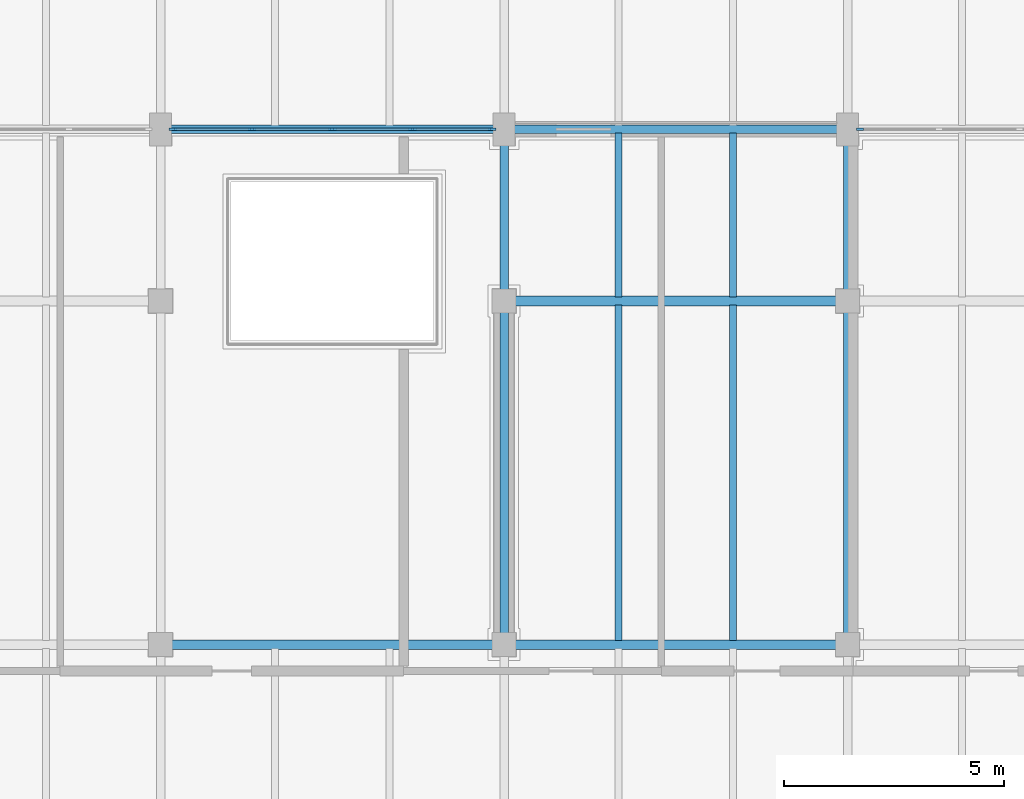
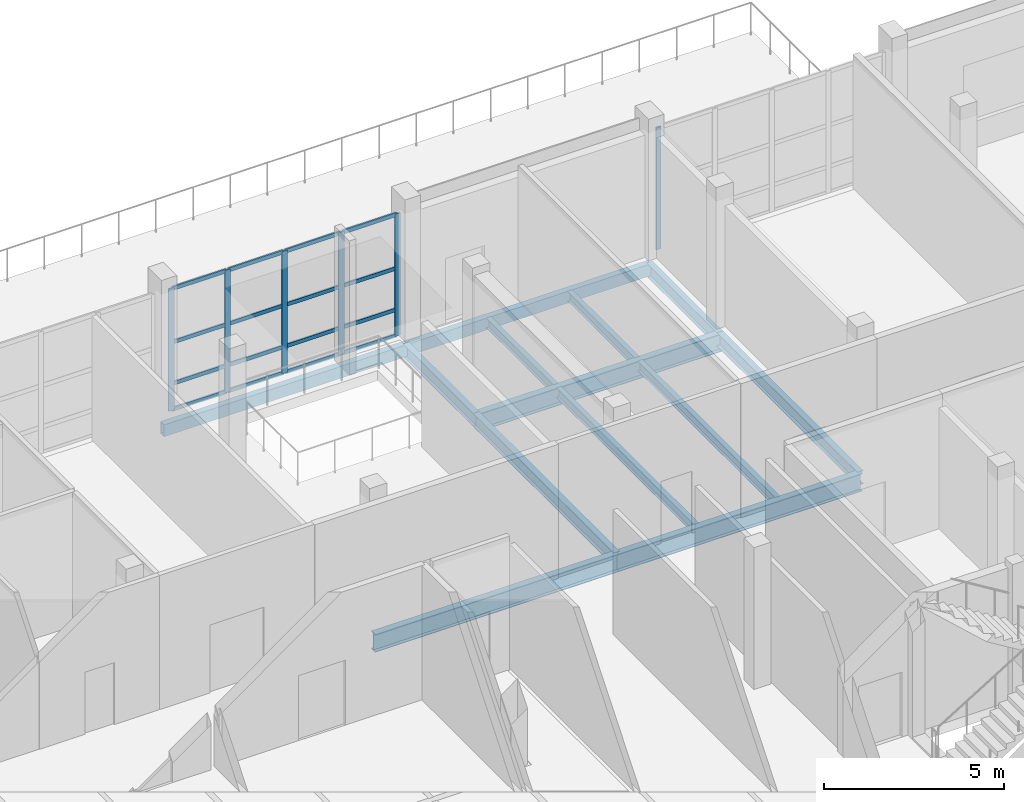
# One storey, part 33 of 138: 22 members, 13 beams, 2 elements without a shape of their own.
"""IFC4 building model written with IfcOpenShell, lengths in metres."""

from ifc_helpers import new_model, si_unit, direction, frame, origin, origin_2d, place, context, subcontext, project, spatial, rectangle, hollow_rectangle, i_section, extrude, material, layer, layer_set, material_profile, profile_set, type_object, element, aggregate, save


model = new_model("IFC4")

# Units and contexts
model_context = context("Model", 3, precision=1e-05, world=origin(), true_north=direction((0.0, 1.0)))
body_context = subcontext(model_context, "Body", "Model", "MODEL_VIEW")
ifc_project = project(units=[si_unit("LENGTHUNIT", "METRE"), si_unit("AREAUNIT", "SQUARE_METRE"), si_unit("VOLUMEUNIT", "CUBIC_METRE"), si_unit("PLANEANGLEUNIT", "RADIAN"), si_unit("MASSUNIT", "GRAM", prefix="KILO")], contexts=[model_context])

# Site, building, storey
site_placement = place(None, origin())
site = spatial("IfcSite", under=ifc_project, at=site_placement, CompositionType="ELEMENT")
building_placement = place(site_placement, origin())
building = spatial("IfcBuilding", under=site, at=building_placement, Name="Celorna Specialist Clinic", CompositionType="ELEMENT")
storey_placement = place(building_placement, frame((0.0, 0.0, 4.800048828125)))
storey = spatial("IfcBuildingStorey", under=building, at=storey_placement, Name="L01", CompositionType="ELEMENT", Elevation=4.800048828125)

# Beams
ifc_material_1 = material(Name="Steel S355", Category="steel")
ifc_material_profile_1 = material_profile(ifc_material_1, i_section(OverallWidth=0.219970703125, OverallDepth=0.60009765625, WebThickness=0.011962890625, FlangeThickness=0.01904296875, at=origin_2d()), Name="IPE 600")
ifc_profile_set_1 = profile_set([ifc_material_profile_1], Name="Steel S355")
beam_type_1 = type_object("IfcBeamType", Name="BM-06", PredefinedType="BEAM", material=ifc_profile_set_1)
beam_1_placement = place(storey_placement, frame((15.60009765625, 50.699951171875, -0.64013671875), z_axis=(1.0, 0.0, 0.0), x_axis=(0.0, 1.0, 0.0)))
element("IfcBeam", 1, at=beam_1_placement, inside=storey, type_object=beam_type_1, Name="Primary girder BM-06 #371", PredefinedType="BEAM", context=body_context, shape_type="SweptSolid", body=[
    extrude(i_section(OverallWidth=0.219970703125, OverallDepth=0.60009765625, WebThickness=0.011962890625, FlangeThickness=0.01904296875, at=origin_2d()), origin(), (0.0, 0.0, 1.0), 7.7998046875),
])
for number, where, z_axis, x_axis, name in (
    (2, (23.39990234375, 50.699951171875, -0.64013671875), (1.0, 0.0, 0.0), (0.0, 1.0, 0.0), "Primary girder BM-06 #372"),
    (3, (23.39990234375, 58.5, -0.64013671875), (1.0, 0.0, 0.0), (0.0, 1.0, 0.0), "Primary girder BM-06 #377"),
):
    element("IfcBeam", number, at=place(storey_placement, frame(where, z_axis=z_axis, x_axis=x_axis)), inside=storey, type_object=beam_type_1, Name=name, PredefinedType="BEAM", context=body_context, shape_type="SweptSolid", body=[
        extrude(i_section(OverallWidth=0.219970703125, OverallDepth=0.60009765625, WebThickness=0.011962890625, FlangeThickness=0.01904296875, at=origin_2d()), origin(), (0.0, 0.0, 1.0), 7.800048828125),
    ])
ifc_material_profile_2 = material_profile(ifc_material_1, i_section(OverallWidth=0.18994140625, OverallDepth=0.449951171875, WebThickness=0.009521484375, FlangeThickness=0.0146484375, at=origin_2d()), Name="IPE 450")
ifc_profile_set_2 = profile_set([ifc_material_profile_2], Name="Steel S355")
beam_type_2 = type_object("IfcBeamType", Name="BM-09", PredefinedType="BEAM", material=ifc_profile_set_2)
beam_2_placement = place(storey_placement, frame((23.39990234375, 50.699951171875, -0.56494140625), z_axis=(0.0, 1.0, 0.0), x_axis=(-1.0, 0.0, 0.0)))
element("IfcBeam", 4, at=beam_2_placement, inside=storey, type_object=beam_type_2, Name="Transverse girder BM-09 #400", PredefinedType="BEAM", context=body_context, shape_type="SweptSolid", body=[
    extrude(i_section(OverallWidth=0.18994140625, OverallDepth=0.449951171875, WebThickness=0.009521484375, FlangeThickness=0.0146484375, at=origin_2d()), origin(), (0.0, 0.0, 1.0), 7.800048828125),
])
beam_3_placement = place(storey_placement, frame((23.39990234375, 58.5, -0.56494140625), z_axis=(0.0, 1.0, 0.0), x_axis=(-1.0, 0.0, 0.0)))
element("IfcBeam", 5, at=beam_3_placement, inside=storey, type_object=beam_type_2, Name="Transverse girder BM-09 #401", PredefinedType="BEAM", context=body_context, shape_type="SweptSolid", body=[
    extrude(i_section(OverallWidth=0.18994140625, OverallDepth=0.449951171875, WebThickness=0.009521484375, FlangeThickness=0.0146484375, at=origin_2d()), origin(), (0.0, 0.0, 1.0), 3.89990234375),
])
beam_4_placement = place(storey_placement, frame((31.199951171875, 50.699951171875, -0.56494140625), z_axis=(0.0, 1.0, 0.0), x_axis=(-1.0, 0.0, 0.0)))
element("IfcBeam", 6, at=beam_4_placement, inside=storey, type_object=beam_type_2, Name="Transverse girder BM-09 #404", PredefinedType="BEAM", context=body_context, shape_type="SweptSolid", body=[
    extrude(i_section(OverallWidth=0.18994140625, OverallDepth=0.449951171875, WebThickness=0.009521484375, FlangeThickness=0.0146484375, at=origin_2d()), origin(), (0.0, 0.0, 1.0), 7.800048828125),
])
beam_5_placement = place(storey_placement, frame((31.199951171875, 58.5, -0.56494140625), z_axis=(0.0, 1.0, 0.0), x_axis=(-1.0, 0.0, 0.0)))
element("IfcBeam", 7, at=beam_5_placement, inside=storey, type_object=beam_type_2, Name="Transverse girder BM-09 #405", PredefinedType="BEAM", context=body_context, shape_type="SweptSolid", body=[
    extrude(i_section(OverallWidth=0.18994140625, OverallDepth=0.449951171875, WebThickness=0.009521484375, FlangeThickness=0.0146484375, at=origin_2d()), origin(), (0.0, 0.0, 1.0), 3.89990234375),
])
ifc_material_profile_3 = material_profile(ifc_material_1, i_section(OverallWidth=0.159912109375, OverallDepth=0.330078125, WebThickness=0.007568359375, FlangeThickness=0.011474609375, at=origin_2d()), Name="IPE 330")
ifc_profile_set_3 = profile_set([ifc_material_profile_3], Name="Steel S355")
beam_type_3 = type_object("IfcBeamType", Name="BM-12", PredefinedType="JOIST", material=ifc_profile_set_3)
for number, where, z_axis, x_axis, name in (
    (8, (26.0, 50.7880859375, -0.505126953125), (0.0, 1.0, 0.0), (-1.0, 0.0, 0.0), "Secondary floor joist BM-12 #434"),
    (9, (28.60009765625, 50.7880859375, -0.505126953125), (0.0, 1.0, 0.0), (-1.0, 0.0, 0.0), "Secondary floor joist BM-12 #435"),
):
    element("IfcBeam", number, at=place(storey_placement, frame(where, z_axis=z_axis, x_axis=x_axis)), inside=storey, type_object=beam_type_3, Name=name, PredefinedType="JOIST", context=body_context, shape_type="SweptSolid", body=[
        extrude(i_section(OverallWidth=0.159912109375, OverallDepth=0.330078125, WebThickness=0.007568359375, FlangeThickness=0.011474609375, at=origin_2d()), origin(), (0.0, 0.0, 1.0), 7.6240234375),
    ])
for number, where, z_axis, x_axis, name in (
    (10, (26.0, 58.587890625, -0.505126953125), (0.0, 1.0, 0.0), (-1.0, 0.0, 0.0), "Secondary floor joist BM-12 #436"),
    (11, (28.60009765625, 58.587890625, -0.505126953125), (0.0, 1.0, 0.0), (-1.0, 0.0, 0.0), "Secondary floor joist BM-12 #437"),
):
    element("IfcBeam", number, at=place(storey_placement, frame(where, z_axis=z_axis, x_axis=x_axis)), inside=storey, type_object=beam_type_3, Name=name, PredefinedType="JOIST", context=body_context, shape_type="SweptSolid", body=[
        extrude(i_section(OverallWidth=0.159912109375, OverallDepth=0.330078125, WebThickness=0.007568359375, FlangeThickness=0.011474609375, at=origin_2d()), origin(), (0.0, 0.0, 1.0), 3.72412109375),
    ])
ifc_material_profile_4 = material_profile(ifc_material_1, hollow_rectangle(XDim=0.199951171875, YDim=0.39990234375, WallThickness=0.011962890625, at=origin_2d()), Name="RHS 200x400x12")
ifc_profile_set_4 = profile_set([ifc_material_profile_4], Name="Steel S355")
beam_type_4 = type_object("IfcBeamType", Name="BM-15", PredefinedType="SPANDREL", material=ifc_profile_set_4)
beam_6_placement = place(storey_placement, frame((15.60009765625, 62.39990234375, -0.5400390625), z_axis=(1.0, 0.0, 0.0), x_axis=(0.0, 1.0, 0.0)))
element("IfcBeam", 12, at=beam_6_placement, inside=storey, type_object=beam_type_4, Name="Spandrel beam BM-15 #382", PredefinedType="SPANDREL", context=body_context, shape_type="SweptSolid", body=[
    extrude(hollow_rectangle(XDim=0.199951171875, YDim=0.39990234375, WallThickness=0.011962890625, at=origin_2d()), origin(), (0.0, 0.0, 1.0), 7.7998046875),
])
beam_7_placement = place(storey_placement, frame((23.39990234375, 62.39990234375, -0.5400390625), z_axis=(1.0, 0.0, 0.0), x_axis=(0.0, 1.0, 0.0)))
element("IfcBeam", 13, at=beam_7_placement, inside=storey, type_object=beam_type_4, Name="Spandrel beam BM-15 #383", PredefinedType="SPANDREL", context=body_context, shape_type="SweptSolid", body=[
    extrude(hollow_rectangle(XDim=0.199951171875, YDim=0.39990234375, WallThickness=0.011962890625, at=origin_2d()), origin(), (0.0, 0.0, 1.0), 7.800048828125),
])

# Curtain wall, member
ifc_material_2 = material(Name="Thermally broken aluminium and solar-control glass curtain wall", Category="aluminium")
ifc_layer_1 = layer(ifc_material_2, 0.159912109375, Name="Thermally broken aluminium and solar-control glass curtain wall")
ifc_layer_set_1 = layer_set([ifc_layer_1], Name="Thermally broken aluminium and solar-control glass curtain wall")
curtain_wall_type_1 = type_object("IfcCurtainWallType", Name="CW-23", PredefinedType="NOTDEFINED", material=ifc_layer_set_1)
curtain_wall_1_placement = place(storey_placement, origin())
curtain_wall_1 = element("IfcCurtainWall", 14, at=curtain_wall_1_placement, inside=storey, type_object=curtain_wall_type_1, Name="Curtain wall CW-23 #53", PredefinedType="NOTDEFINED")
ifc_material_3 = material(Name="Anodized aluminium mullion", Category="aluminium")
ifc_material_profile_5 = material_profile(ifc_material_3, rectangle(XDim=0.050048828125, YDim=0.159912109375, at=origin_2d()), Name="ALU MULLION 50x160")
ifc_profile_set_5 = profile_set([ifc_material_profile_5], Name="Anodized aluminium mullion")
member_type_1 = type_object("IfcMemberType", Name="ML-01", PredefinedType="MULLION", material=ifc_profile_set_5)
member_1_placement = place(storey_placement, frame((31.47900390625, 62.39990234375, 0.0), z_axis=(0.0, 0.0, 1.0), x_axis=(0.0, 1.0, 0.0)))
member_1 = element("IfcMember", 15, at=member_1_placement, type_object=member_type_1, Name="CW-23 mullion 1", PredefinedType="MULLION", context=body_context, shape_type="SweptSolid", body=[
    extrude(rectangle(XDim=0.050048828125, YDim=0.159912109375, at=origin_2d()), origin(), (0.0, 0.0, 1.0), 4.139892578125),
])
aggregate(curtain_wall_1, [member_1])

# Curtain wall, members
ifc_layer_2 = layer(ifc_material_2, 0.159912109375, Name="Thermally broken aluminium and solar-control glass curtain wall")
ifc_layer_set_2 = layer_set([ifc_layer_2], Name="Thermally broken aluminium and solar-control glass curtain wall")
curtain_wall_type_2 = type_object("IfcCurtainWallType", Name="CW-24", PredefinedType="NOTDEFINED", material=ifc_layer_set_2)
curtain_wall_2_placement = place(storey_placement, origin())
curtain_wall_2 = element("IfcCurtainWall", 16, at=curtain_wall_2_placement, inside=storey, type_object=curtain_wall_type_2, Name="Curtain wall CW-24 #52", PredefinedType="NOTDEFINED")
ifc_material_profile_6 = material_profile(ifc_material_3, rectangle(XDim=0.050048828125, YDim=0.179931640625, at=origin_2d()), Name="ALU MULLION 50x180")
ifc_profile_set_6 = profile_set([ifc_material_profile_6], Name="Anodized aluminium mullion")
member_type_2 = type_object("IfcMemberType", Name="ML-02", PredefinedType="MULLION", material=ifc_profile_set_6)
member_2_placement = place(storey_placement, frame((15.87890625, 62.39990234375, 0.0), z_axis=(0.0, 0.0, 1.0), x_axis=(0.0, 1.0, 0.0)))
member_2 = element("IfcMember", 17, at=member_2_placement, type_object=member_type_2, Name="CW-24 mullion 1", PredefinedType="MULLION", context=body_context, shape_type="SweptSolid", body=[
    extrude(rectangle(XDim=0.050048828125, YDim=0.179931640625, at=origin_2d()), origin(), (0.0, 0.0, 1.0), 4.139892578125),
])
member_3_placement = place(storey_placement, frame((17.677001953125, 62.39990234375, 0.0), z_axis=(0.0, 0.0, 1.0), x_axis=(0.0, 1.0, 0.0)))
member_3 = element("IfcMember", 18, at=member_3_placement, type_object=member_type_2, Name="CW-24 mullion 2", PredefinedType="MULLION", context=body_context, shape_type="SweptSolid", body=[
    extrude(rectangle(XDim=0.050048828125, YDim=0.179931640625, at=origin_2d()), origin(), (0.0, 0.0, 1.0), 4.139892578125),
])
member_4_placement = place(storey_placement, frame((19.5, 62.39990234375, 0.0), z_axis=(0.0, 0.0, 1.0), x_axis=(0.0, 1.0, 0.0)))
member_4 = element("IfcMember", 19, at=member_4_placement, type_object=member_type_2, Name="CW-24 mullion 3", PredefinedType="MULLION", context=body_context, shape_type="SweptSolid", body=[
    extrude(rectangle(XDim=0.050048828125, YDim=0.179931640625, at=origin_2d()), origin(), (0.0, 0.0, 1.0), 4.139892578125),
])
member_5_placement = place(storey_placement, frame((21.322998046875, 62.39990234375, 0.0), z_axis=(0.0, 0.0, 1.0), x_axis=(0.0, 1.0, 0.0)))
member_5 = element("IfcMember", 20, at=member_5_placement, type_object=member_type_2, Name="CW-24 mullion 4", PredefinedType="MULLION", context=body_context, shape_type="SweptSolid", body=[
    extrude(rectangle(XDim=0.050048828125, YDim=0.179931640625, at=origin_2d()), origin(), (0.0, 0.0, 1.0), 4.139892578125),
])
member_6_placement = place(storey_placement, frame((23.12109375, 62.39990234375, 0.0), z_axis=(0.0, 0.0, 1.0), x_axis=(0.0, 1.0, 0.0)))
member_6 = element("IfcMember", 21, at=member_6_placement, type_object=member_type_2, Name="CW-24 mullion 5", PredefinedType="MULLION", context=body_context, shape_type="SweptSolid", body=[
    extrude(rectangle(XDim=0.050048828125, YDim=0.179931640625, at=origin_2d()), origin(), (0.0, 0.0, 1.0), 4.139892578125),
])
ifc_material_4 = material(Name="Anodized aluminium transom", Category="aluminium")
ifc_material_profile_7 = material_profile(ifc_material_4, rectangle(XDim=0.050048828125, YDim=0.1298828125, at=origin_2d()), Name="ALU TRANSOM 50x130")
ifc_profile_set_7 = profile_set([ifc_material_profile_7], Name="Anodized aluminium transom")
member_type_3 = type_object("IfcMemberType", Name="TR-01", PredefinedType="USERDEFINED", material=ifc_profile_set_7)
member_7_placement = place(storey_placement, frame((15.904052734375, 62.39990234375, 0.02490234375), z_axis=(1.0, 0.0, 0.0), x_axis=(0.0, 1.0, 0.0)))
member_7 = element("IfcMember", 22, at=member_7_placement, type_object=member_type_3, Name="CW-24 transom 1.1", ObjectType="TRANSOM", PredefinedType="USERDEFINED", context=body_context, shape_type="SweptSolid", body=[
    extrude(rectangle(XDim=0.050048828125, YDim=0.1298828125, at=origin_2d()), origin(), (0.0, 0.0, 1.0), 1.748046875),
])
member_8_placement = place(storey_placement, frame((15.904052734375, 62.39990234375, 0.89990234375), z_axis=(1.0, 0.0, 0.0), x_axis=(0.0, 1.0, 0.0)))
member_8 = element("IfcMember", 23, at=member_8_placement, type_object=member_type_3, Name="CW-24 transom 1.2", ObjectType="TRANSOM", PredefinedType="USERDEFINED", context=body_context, shape_type="SweptSolid", body=[
    extrude(rectangle(XDim=0.050048828125, YDim=0.1298828125, at=origin_2d()), origin(), (0.0, 0.0, 1.0), 1.748046875),
])
member_9_placement = place(storey_placement, frame((15.904052734375, 62.39990234375, 2.300048828125), z_axis=(1.0, 0.0, 0.0), x_axis=(0.0, 1.0, 0.0)))
member_9 = element("IfcMember", 24, at=member_9_placement, type_object=member_type_3, Name="CW-24 transom 1.3", ObjectType="TRANSOM", PredefinedType="USERDEFINED", context=body_context, shape_type="SweptSolid", body=[
    extrude(rectangle(XDim=0.050048828125, YDim=0.1298828125, at=origin_2d()), origin(), (0.0, 0.0, 1.0), 1.748046875),
])
member_10_placement = place(storey_placement, frame((15.904052734375, 62.39990234375, 4.114990234375), z_axis=(1.0, 0.0, 0.0), x_axis=(0.0, 1.0, 0.0)))
member_10 = element("IfcMember", 25, at=member_10_placement, type_object=member_type_3, Name="CW-24 transom 1.4", ObjectType="TRANSOM", PredefinedType="USERDEFINED", context=body_context, shape_type="SweptSolid", body=[
    extrude(rectangle(XDim=0.050048828125, YDim=0.1298828125, at=origin_2d()), origin(), (0.0, 0.0, 1.0), 1.748046875),
])
member_11_placement = place(storey_placement, frame((17.701904296875, 62.39990234375, 0.02490234375), z_axis=(1.0, 0.0, 0.0), x_axis=(0.0, 1.0, 0.0)))
member_11 = element("IfcMember", 26, at=member_11_placement, type_object=member_type_3, Name="CW-24 transom 2.1", ObjectType="TRANSOM", PredefinedType="USERDEFINED", context=body_context, shape_type="SweptSolid", body=[
    extrude(rectangle(XDim=0.050048828125, YDim=0.1298828125, at=origin_2d()), origin(), (0.0, 0.0, 1.0), 1.773193359375),
])
member_12_placement = place(storey_placement, frame((17.701904296875, 62.39990234375, 0.89990234375), z_axis=(1.0, 0.0, 0.0), x_axis=(0.0, 1.0, 0.0)))
member_12 = element("IfcMember", 27, at=member_12_placement, type_object=member_type_3, Name="CW-24 transom 2.2", ObjectType="TRANSOM", PredefinedType="USERDEFINED", context=body_context, shape_type="SweptSolid", body=[
    extrude(rectangle(XDim=0.050048828125, YDim=0.1298828125, at=origin_2d()), origin(), (0.0, 0.0, 1.0), 1.773193359375),
])
member_13_placement = place(storey_placement, frame((17.701904296875, 62.39990234375, 2.300048828125), z_axis=(1.0, 0.0, 0.0), x_axis=(0.0, 1.0, 0.0)))
member_13 = element("IfcMember", 28, at=member_13_placement, type_object=member_type_3, Name="CW-24 transom 2.3", ObjectType="TRANSOM", PredefinedType="USERDEFINED", context=body_context, shape_type="SweptSolid", body=[
    extrude(rectangle(XDim=0.050048828125, YDim=0.1298828125, at=origin_2d()), origin(), (0.0, 0.0, 1.0), 1.773193359375),
])
member_14_placement = place(storey_placement, frame((17.701904296875, 62.39990234375, 4.114990234375), z_axis=(1.0, 0.0, 0.0), x_axis=(0.0, 1.0, 0.0)))
member_14 = element("IfcMember", 29, at=member_14_placement, type_object=member_type_3, Name="CW-24 transom 2.4", ObjectType="TRANSOM", PredefinedType="USERDEFINED", context=body_context, shape_type="SweptSolid", body=[
    extrude(rectangle(XDim=0.050048828125, YDim=0.1298828125, at=origin_2d()), origin(), (0.0, 0.0, 1.0), 1.773193359375),
])
member_15_placement = place(storey_placement, frame((19.52490234375, 62.39990234375, 0.02490234375), z_axis=(1.0, 0.0, 0.0), x_axis=(0.0, 1.0, 0.0)))
member_15 = element("IfcMember", 30, at=member_15_placement, type_object=member_type_3, Name="CW-24 transom 3.1", ObjectType="TRANSOM", PredefinedType="USERDEFINED", context=body_context, shape_type="SweptSolid", body=[
    extrude(rectangle(XDim=0.050048828125, YDim=0.1298828125, at=origin_2d()), origin(), (0.0, 0.0, 1.0), 1.773193359375),
])
member_16_placement = place(storey_placement, frame((19.52490234375, 62.39990234375, 0.89990234375), z_axis=(1.0, 0.0, 0.0), x_axis=(0.0, 1.0, 0.0)))
member_16 = element("IfcMember", 31, at=member_16_placement, type_object=member_type_3, Name="CW-24 transom 3.2", ObjectType="TRANSOM", PredefinedType="USERDEFINED", context=body_context, shape_type="SweptSolid", body=[
    extrude(rectangle(XDim=0.050048828125, YDim=0.1298828125, at=origin_2d()), origin(), (0.0, 0.0, 1.0), 1.773193359375),
])
member_17_placement = place(storey_placement, frame((19.52490234375, 62.39990234375, 2.300048828125), z_axis=(1.0, 0.0, 0.0), x_axis=(0.0, 1.0, 0.0)))
member_17 = element("IfcMember", 32, at=member_17_placement, type_object=member_type_3, Name="CW-24 transom 3.3", ObjectType="TRANSOM", PredefinedType="USERDEFINED", context=body_context, shape_type="SweptSolid", body=[
    extrude(rectangle(XDim=0.050048828125, YDim=0.1298828125, at=origin_2d()), origin(), (0.0, 0.0, 1.0), 1.773193359375),
])
member_18_placement = place(storey_placement, frame((19.52490234375, 62.39990234375, 4.114990234375), z_axis=(1.0, 0.0, 0.0), x_axis=(0.0, 1.0, 0.0)))
member_18 = element("IfcMember", 33, at=member_18_placement, type_object=member_type_3, Name="CW-24 transom 3.4", ObjectType="TRANSOM", PredefinedType="USERDEFINED", context=body_context, shape_type="SweptSolid", body=[
    extrude(rectangle(XDim=0.050048828125, YDim=0.1298828125, at=origin_2d()), origin(), (0.0, 0.0, 1.0), 1.773193359375),
])
member_19_placement = place(storey_placement, frame((21.347900390625, 62.39990234375, 0.02490234375), z_axis=(1.0, 0.0, 0.0), x_axis=(0.0, 1.0, 0.0)))
member_19 = element("IfcMember", 34, at=member_19_placement, type_object=member_type_3, Name="CW-24 transom 4.1", ObjectType="TRANSOM", PredefinedType="USERDEFINED", context=body_context, shape_type="SweptSolid", body=[
    extrude(rectangle(XDim=0.050048828125, YDim=0.1298828125, at=origin_2d()), origin(), (0.0, 0.0, 1.0), 1.748046875),
])
member_20_placement = place(storey_placement, frame((21.347900390625, 62.39990234375, 0.89990234375), z_axis=(1.0, 0.0, 0.0), x_axis=(0.0, 1.0, 0.0)))
member_20 = element("IfcMember", 35, at=member_20_placement, type_object=member_type_3, Name="CW-24 transom 4.2", ObjectType="TRANSOM", PredefinedType="USERDEFINED", context=body_context, shape_type="SweptSolid", body=[
    extrude(rectangle(XDim=0.050048828125, YDim=0.1298828125, at=origin_2d()), origin(), (0.0, 0.0, 1.0), 1.748046875),
])
member_21_placement = place(storey_placement, frame((21.347900390625, 62.39990234375, 2.300048828125), z_axis=(1.0, 0.0, 0.0), x_axis=(0.0, 1.0, 0.0)))
member_21 = element("IfcMember", 36, at=member_21_placement, type_object=member_type_3, Name="CW-24 transom 4.3", ObjectType="TRANSOM", PredefinedType="USERDEFINED", context=body_context, shape_type="SweptSolid", body=[
    extrude(rectangle(XDim=0.050048828125, YDim=0.1298828125, at=origin_2d()), origin(), (0.0, 0.0, 1.0), 1.748046875),
])
member_22_placement = place(storey_placement, frame((21.347900390625, 62.39990234375, 4.114990234375), z_axis=(1.0, 0.0, 0.0), x_axis=(0.0, 1.0, 0.0)))
member_22 = element("IfcMember", 37, at=member_22_placement, type_object=member_type_3, Name="CW-24 transom 4.4", ObjectType="TRANSOM", PredefinedType="USERDEFINED", context=body_context, shape_type="SweptSolid", body=[
    extrude(rectangle(XDim=0.050048828125, YDim=0.1298828125, at=origin_2d()), origin(), (0.0, 0.0, 1.0), 1.748046875),
])
aggregate(curtain_wall_2, [member_2, member_3, member_4, member_5, member_6, member_7, member_8, member_9, member_10, member_11, member_12, member_13, member_14, member_15, member_16, member_17, member_18, member_19, member_20, member_21, member_22])

save(model, "model.ifc")
